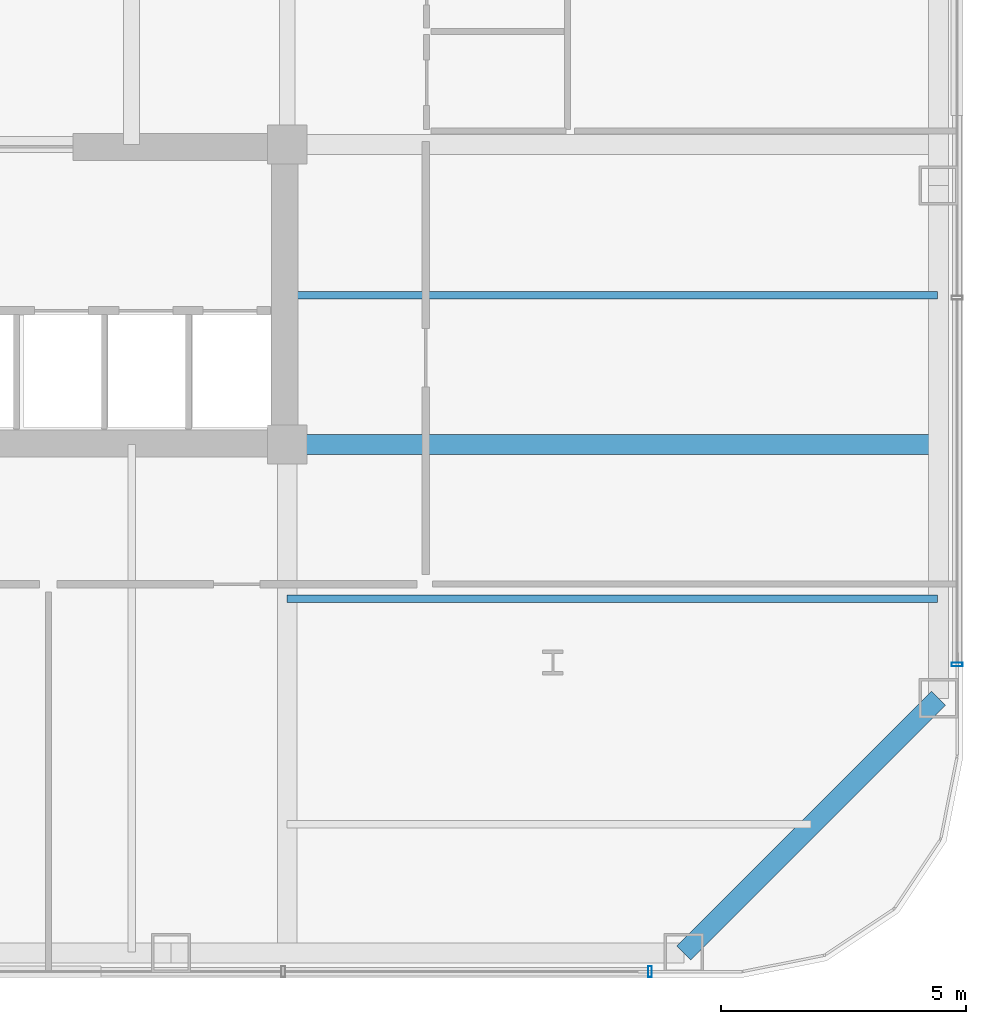
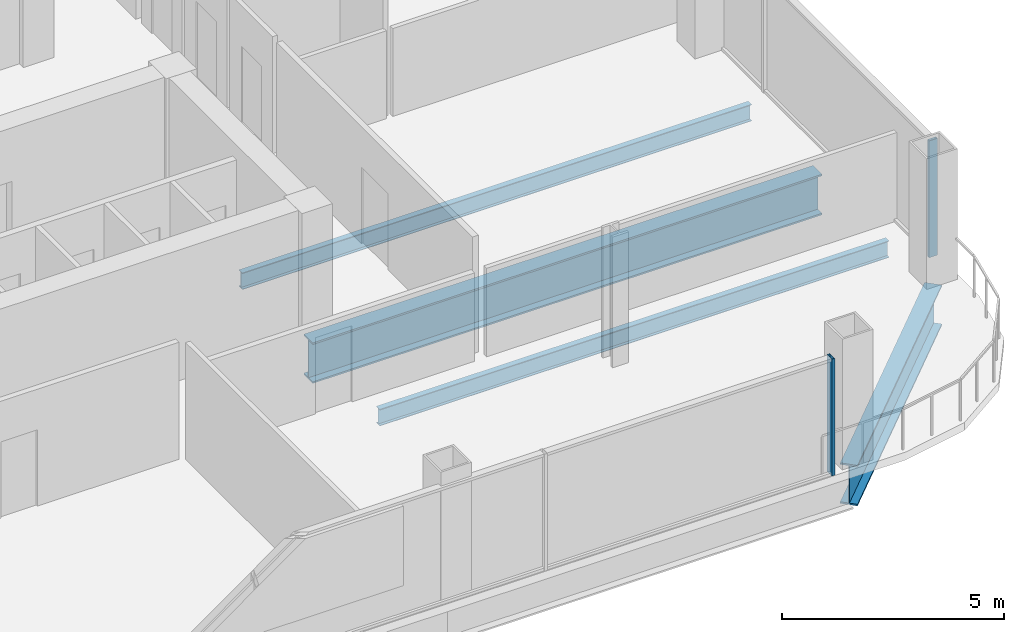
# One storey, part 9 of 24: 4 beams, 2 members, 2 elements without a shape of their own.
"""IFC4 building model written with IfcOpenShell, lengths in metres."""

from ifc_helpers import new_model, si_unit, direction, frame, origin, origin_2d, place, context, subcontext, project, spatial, hollow_rectangle, i_section, extrude, material, layer, layer_set, material_profile, profile_set, type_object, element, aggregate, save


model = new_model("IFC4")

# Units and contexts
model_context = context("Model", 3, precision=1e-05, world=origin(), true_north=direction((0.0, 1.0)))
body_context = subcontext(model_context, "Body", "Model", "MODEL_VIEW")
ifc_project = project(units=[si_unit("LENGTHUNIT", "METRE"), si_unit("AREAUNIT", "SQUARE_METRE"), si_unit("VOLUMEUNIT", "CUBIC_METRE"), si_unit("PLANEANGLEUNIT", "RADIAN"), si_unit("MASSUNIT", "GRAM", prefix="KILO")], contexts=[model_context])

# Site, building, storey
site_placement = place(None, origin())
site = spatial("IfcSite", under=ifc_project, at=site_placement, CompositionType="ELEMENT")
building_placement = place(site_placement, origin())
building = spatial("IfcBuilding", under=site, at=building_placement, Name="Qhalaya Broadcast Tower", CompositionType="ELEMENT")
storey_placement = place(building_placement, frame((0.0, 0.0, 61.5)))
storey = spatial("IfcBuildingStorey", under=building, at=storey_placement, Name="L17", CompositionType="ELEMENT", Elevation=61.5)

# Beams
ifc_material_1 = material(Name="Structural Steel ASTM A992 Grade 50", Category="steel")
ifc_material_profile_1 = material_profile(ifc_material_1, i_section(OverallWidth=0.154052734375, OverallDepth=0.458984375, WebThickness=0.009033203125, FlangeThickness=0.015380859375, at=origin_2d()), Name="W18X46")
ifc_profile_set_1 = profile_set([ifc_material_profile_1], Name="Structural Steel ASTM A992 Grade 50")
beam_type_1 = type_object("IfcBeamType", Name="Composite Floor Joist J04", PredefinedType="JOIST", material=ifc_profile_set_1)
for number, where, z_axis, x_axis, name in (
    (1, (9.375, -11.89990234375, -0.449462890625), (1.0, 0.0, 0.0), (0.0, 1.0, 0.0), "L17 J04 L17-JWE2E-1"),
    (2, (9.375, -5.699951171875, -0.449462890625), (1.0, 0.0, 0.0), (0.0, 1.0, 0.0), "L17 J04 L17-JWE3E-1"),
):
    element("IfcBeam", number, at=place(storey_placement, frame(where, z_axis=z_axis, x_axis=x_axis)), inside=storey, type_object=beam_type_1, Name=name, PredefinedType="JOIST", context=body_context, shape_type="SweptSolid", body=[
        extrude(i_section(OverallWidth=0.154052734375, OverallDepth=0.458984375, WebThickness=0.009033203125, FlangeThickness=0.015380859375, at=origin_2d()), origin(), (0.0, 0.0, 1.0), 13.27490234375),
    ])
ifc_material_profile_2 = material_profile(ifc_material_1, i_section(OverallWidth=0.404052734375, OverallDepth=1.117919921875, WebThickness=0.026123046875, FlangeThickness=0.044921875, at=origin_2d()), Name="W44X335")
ifc_profile_set_2 = profile_set([ifc_material_profile_2], Name="Structural Steel ASTM A992 Grade 50")
beam_type_2 = type_object("IfcBeamType", Name="Podium Long-Span Primary Girder PG1", PredefinedType="USERDEFINED", material=ifc_profile_set_2)
beam_1_placement = place(storey_placement, frame((17.469970703125, -19.1298828125, -0.779052734375), z_axis=(0.707106781187, 0.707106781187, 0.0), x_axis=(-0.707106781187, 0.707106781187, 0.0)))
element("IfcBeam", 3, at=beam_1_placement, inside=storey, type_object=beam_type_2, Name="L17 PG1 L17-SPR-04", ObjectType="GIRDER", PredefinedType="USERDEFINED", context=body_context, shape_type="SweptSolid", body=[
    extrude(i_section(OverallWidth=0.404052734375, OverallDepth=1.117919921875, WebThickness=0.026123046875, FlangeThickness=0.044921875, at=origin_2d()), origin(), (0.0, 0.0, 1.0), 7.353759765625),
])
beam_2_placement = place(storey_placement, frame((9.375, -8.75, -0.779052734375), z_axis=(1.0, 0.0, 0.0), x_axis=(0.0, 1.0, 0.0)))
element("IfcBeam", 4, at=beam_2_placement, inside=storey, type_object=beam_type_2, Name="L17 PG1 L17-PGYE1-1", ObjectType="GIRDER", PredefinedType="USERDEFINED", context=body_context, shape_type="SweptSolid", body=[
    extrude(i_section(OverallWidth=0.404052734375, OverallDepth=1.117919921875, WebThickness=0.026123046875, FlangeThickness=0.044921875, at=origin_2d()), origin(), (0.0, 0.0, 1.0), 13.27490234375),
])

# Curtain wall, member
ifc_material_2 = material(Name="Solar-Control Low-E Triple Glazing", Category="glass")
ifc_layer = layer(ifc_material_2, 0.219970703125, Name="Solar-Control Low-E Triple Glazing")
ifc_layer_set = layer_set([ifc_layer], Name="Solar-Control Low-E Triple Glazing")
curtain_wall_type = type_object("IfcCurtainWallType", Name="Recessed Sky-Garden Neck Ribbon Curtain Wall CW-05", PredefinedType="NOTDEFINED", material=ifc_layer_set)
curtain_wall_1_placement = place(storey_placement, origin())
curtain_wall_1 = element("IfcCurtainWall", 5, at=curtain_wall_1_placement, inside=storey, type_object=curtain_wall_type, Name="L17 Unitised Curtain Wall L17-CW-S", PredefinedType="NOTDEFINED")
ifc_material_3 = material(Name="Anodised Aluminium 6063-T6", Category="aluminium")
ifc_material_profile_3 = material_profile(ifc_material_3, hollow_rectangle(XDim=0.074951171875, YDim=0.219970703125, WallThickness=0.00390625, at=origin_2d()), Name="ALU-MUL 75x220x4")
ifc_profile_set_3 = profile_set([ifc_material_profile_3], Name="Anodised Aluminium 6063-T6")
member_type = type_object("IfcMemberType", Name="Unitised Curtain-Wall Mullion M01", PredefinedType="MULLION", material=ifc_profile_set_3)
member_1_placement = place(storey_placement, frame((16.782470703125, -19.510009765625, 0.0), z_axis=(0.0, 0.0, 1.0), x_axis=(1.0, 0.0, 0.0)))
member_1 = element("IfcMember", 6, at=member_1_placement, type_object=member_type, Name="CW-05 mullion 5", PredefinedType="MULLION", context=body_context, shape_type="SweptSolid", body=[
    extrude(hollow_rectangle(XDim=0.074951171875, YDim=0.219970703125, WallThickness=0.00390625, at=origin_2d()), origin(), (0.0, 0.0, 1.0), 3.219970703125),
])
aggregate(curtain_wall_1, [member_1])

curtain_wall_2_placement = place(storey_placement, origin())
curtain_wall_2 = element("IfcCurtainWall", 7, at=curtain_wall_2_placement, inside=storey, type_object=curtain_wall_type, Name="L17 Unitised Curtain Wall L17-CW-E", PredefinedType="NOTDEFINED")
member_2_placement = place(storey_placement, frame((23.050048828125, -13.242431640625, 0.0), z_axis=(0.0, 0.0, 1.0), x_axis=(0.0, 1.0, 0.0)))
member_2 = element("IfcMember", 8, at=member_2_placement, type_object=member_type, Name="CW-05 mullion 1", PredefinedType="MULLION", context=body_context, shape_type="SweptSolid", body=[
    extrude(hollow_rectangle(XDim=0.074951171875, YDim=0.219970703125, WallThickness=0.00390625, at=origin_2d()), origin(), (0.0, 0.0, 1.0), 3.219970703125),
])
aggregate(curtain_wall_2, [member_2])

save(model, "model.ifc")
